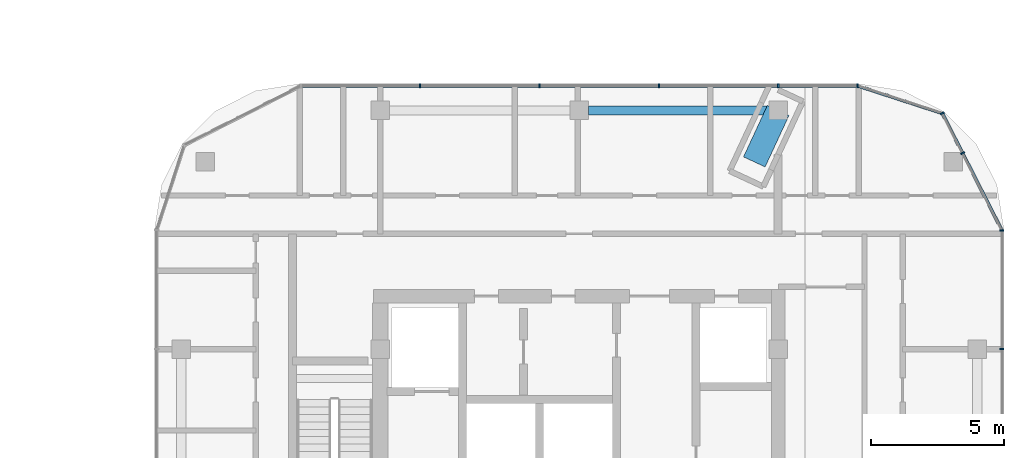
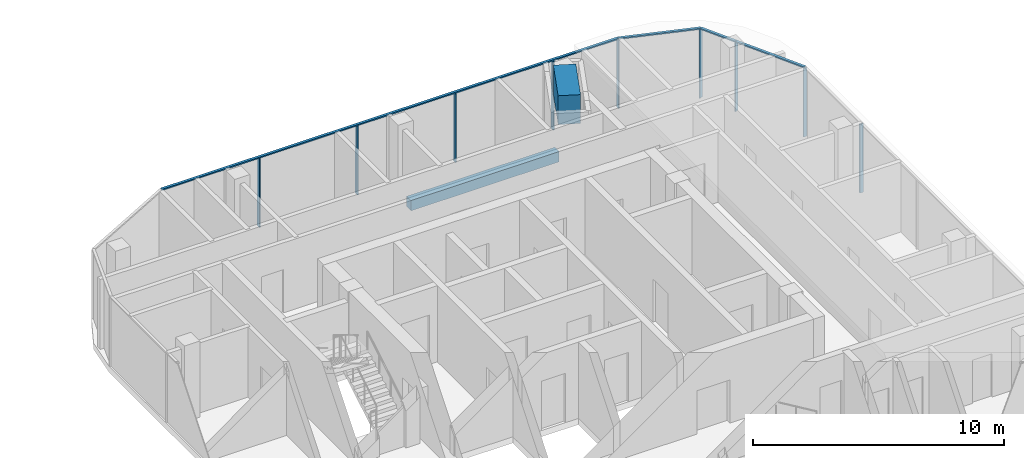
# One storey, part 10 of 35: 13 members, 2 beams, 4 elements without a shape of their own.
"""IFC4 building model written with IfcOpenShell, lengths in metres."""

from ifc_helpers import new_model, si_unit, direction, frame, origin, origin_2d, place, context, subcontext, project, spatial, rectangle, extrude, material, material_profile, profile_set, type_object, element, aggregate, save


model = new_model("IFC4")

# Units and contexts
model_context = context("Model", 3, precision=1e-05, world=origin(), true_north=direction((0.0, 1.0)))
body_context = subcontext(model_context, "Body", "Model", "MODEL_VIEW")
ifc_project = project(units=[si_unit("LENGTHUNIT", "METRE"), si_unit("AREAUNIT", "SQUARE_METRE"), si_unit("VOLUMEUNIT", "CUBIC_METRE"), si_unit("PLANEANGLEUNIT", "RADIAN"), si_unit("MASSUNIT", "GRAM", prefix="KILO")], contexts=[model_context])

# Site, building, storey
site_placement = place(None, origin())
site = spatial("IfcSite", under=ifc_project, at=site_placement, CompositionType="ELEMENT")
building_placement = place(site_placement, origin())
building = spatial("IfcBuilding", under=site, at=building_placement, Name="Ogive Portal Towers", CompositionType="ELEMENT")
storey_placement = place(building_placement, frame((0.0, 0.0, 90.800048828125)))
storey = spatial("IfcBuildingStorey", under=building, at=storey_placement, Name="L21", CompositionType="ELEMENT", Elevation=90.800048828125)

# Curtain wall, members
ifc_material_1 = material(Name="Glass, clear low-iron insulated glazing", Category="glass")
curtain_wall_type = type_object("IfcCurtainWallType", Name="CW RESIDENCES RIBBON", PredefinedType="NOTDEFINED", material=ifc_material_1)
curtain_wall_1_placement = place(storey_placement, origin())
curtain_wall_1 = element("IfcCurtainWall", 1, at=curtain_wall_1_placement, inside=storey, type_object=curtain_wall_type, Name="B:L21:f05:cw0", PredefinedType="NOTDEFINED")
ifc_material_2 = material(Name="Aluminium 6063 anodised", Category="aluminium")
ifc_material_profile_1 = material_profile(ifc_material_2, rectangle(XDim=0.159912109375, YDim=0.06005859375, at=origin_2d()), Name="AL 60x160")
ifc_profile_set_1 = profile_set([ifc_material_profile_1], Name="Aluminium 6063 anodised")
member_type_1 = type_object("IfcMemberType", Name="CW MULLION 60x160", PredefinedType="MULLION", material=ifc_profile_set_1)
member_1_placement = place(storey_placement, frame((152.429931640625, 35.5, 0.0), z_axis=(0.0, 0.0, 1.0), x_axis=(-1.0, 0.0, 0.0)))
member_1 = element("IfcMember", 2, at=member_1_placement, type_object=member_type_1, Name="mullion", PredefinedType="MULLION", context=body_context, shape_type="SweptSolid", body=[
    extrude(rectangle(XDim=0.159912109375, YDim=0.06005859375, at=origin_2d()), origin(), (0.0, 0.0, 1.0), 3.33984375),
])
member_2_placement = place(storey_placement, frame((152.429931640625, 39.980712890625, 0.0), z_axis=(0.0, 0.0, 1.0), x_axis=(-1.0, 0.0, 0.0)))
member_2 = element("IfcMember", 3, at=member_2_placement, type_object=member_type_1, Name="mullion", PredefinedType="MULLION", context=body_context, shape_type="SweptSolid", body=[
    extrude(rectangle(XDim=0.159912109375, YDim=0.06005859375, at=origin_2d()), origin(), (0.0, 0.0, 1.0), 3.33984375),
])
aggregate(curtain_wall_1, [member_1, member_2])

curtain_wall_2_placement = place(storey_placement, origin())
curtain_wall_2 = element("IfcCurtainWall", 4, at=curtain_wall_2_placement, inside=storey, type_object=curtain_wall_type, Name="B:L21:f08:cw0", PredefinedType="NOTDEFINED")
member_3_placement = place(storey_placement, frame((146.9873046875, 45.429931640625, 0.0), z_axis=(0.0, 0.0, 1.0), x_axis=(0.0, -1.0, 0.0)))
member_3 = element("IfcMember", 5, at=member_3_placement, type_object=member_type_1, Name="mullion", PredefinedType="MULLION", context=body_context, shape_type="SweptSolid", body=[
    extrude(rectangle(XDim=0.159912109375, YDim=0.06005859375, at=origin_2d()), origin(), (0.0, 0.0, 1.0), 3.33984375),
])
member_4_placement = place(storey_placement, frame((144.0, 45.429931640625, 0.0), z_axis=(0.0, 0.0, 1.0), x_axis=(0.0, -1.0, 0.0)))
member_4 = element("IfcMember", 6, at=member_4_placement, type_object=member_type_1, Name="mullion", PredefinedType="MULLION", context=body_context, shape_type="SweptSolid", body=[
    extrude(rectangle(XDim=0.159912109375, YDim=0.06005859375, at=origin_2d()), origin(), (0.0, 0.0, 1.0), 3.33984375),
])
member_5_placement = place(storey_placement, frame((139.5, 45.429931640625, 0.0), z_axis=(0.0, 0.0, 1.0), x_axis=(0.0, -1.0, 0.0)))
member_5 = element("IfcMember", 7, at=member_5_placement, type_object=member_type_1, Name="mullion", PredefinedType="MULLION", context=body_context, shape_type="SweptSolid", body=[
    extrude(rectangle(XDim=0.159912109375, YDim=0.06005859375, at=origin_2d()), origin(), (0.0, 0.0, 1.0), 3.33984375),
])
member_6_placement = place(storey_placement, frame((135.0, 45.429931640625, 0.0), z_axis=(0.0, 0.0, 1.0), x_axis=(0.0, -1.0, 0.0)))
member_6 = element("IfcMember", 8, at=member_6_placement, type_object=member_type_1, Name="mullion", PredefinedType="MULLION", context=body_context, shape_type="SweptSolid", body=[
    extrude(rectangle(XDim=0.159912109375, YDim=0.06005859375, at=origin_2d()), origin(), (0.0, 0.0, 1.0), 3.33984375),
])
member_7_placement = place(storey_placement, frame((130.5, 45.429931640625, 0.0), z_axis=(0.0, 0.0, 1.0), x_axis=(0.0, -1.0, 0.0)))
member_7 = element("IfcMember", 9, at=member_7_placement, type_object=member_type_1, Name="mullion", PredefinedType="MULLION", context=body_context, shape_type="SweptSolid", body=[
    extrude(rectangle(XDim=0.159912109375, YDim=0.06005859375, at=origin_2d()), origin(), (0.0, 0.0, 1.0), 3.33984375),
])

# Curtain wall, member
curtain_wall_3_placement = place(storey_placement, origin())
curtain_wall_3 = element("IfcCurtainWall", 10, at=curtain_wall_3_placement, inside=storey, type_object=curtain_wall_type, Name="B:L21:f06:cwa~0", PredefinedType="NOTDEFINED")
member_8_placement = place(storey_placement, frame((150.948974609375, 42.887451171875, 0.0), z_axis=(0.0, 0.0, 1.0), x_axis=(-0.891006524188, -0.45399049974, 0.0)))
member_8 = element("IfcMember", 11, at=member_8_placement, type_object=member_type_1, Name="mullion", PredefinedType="MULLION", context=body_context, shape_type="SweptSolid", body=[
    extrude(rectangle(XDim=0.159912109375, YDim=0.06005859375, at=origin_2d()), origin(), (0.0, 0.0, 1.0), 3.33984375),
])

curtain_wall_4_placement = place(storey_placement, origin())
curtain_wall_4 = element("IfcCurtainWall", 12, at=curtain_wall_4_placement, inside=storey, type_object=curtain_wall_type, Name="B:L21:f06:cwa~1", PredefinedType="NOTDEFINED")
member_9_placement = place(storey_placement, frame((150.182373046875, 44.391845703125, 0.0), z_axis=(0.0, 0.0, 1.0), x_axis=(-0.891006524188, -0.45399049974, 0.0)))
member_9 = element("IfcMember", 13, at=member_9_placement, type_object=member_type_1, Name="mullion", PredefinedType="MULLION", context=body_context, shape_type="SweptSolid", body=[
    extrude(rectangle(XDim=0.159912109375, YDim=0.06005859375, at=origin_2d()), origin(), (0.0, 0.0, 1.0), 3.33984375),
])

# Member
ifc_material_profile_2 = material_profile(ifc_material_2, rectangle(XDim=0.1201171875, YDim=0.06005859375, at=origin_2d()), Name="AL 120x60")
ifc_profile_set_2 = profile_set([ifc_material_profile_2], Name="Aluminium 6063 anodised")
member_type_2 = type_object("IfcMemberType", Name="CW TRANSOM 60x120", PredefinedType="USERDEFINED", material=ifc_profile_set_2)
member_10_placement = place(storey_placement, frame((146.9873046875, 45.429931640625, 3.369873046875), z_axis=(-1.0, 0.0, 0.0), x_axis=(0.0, -1.0, 0.0)))
member_10 = element("IfcMember", 14, at=member_10_placement, type_object=member_type_2, Name="transom", ObjectType="TRANSOM", PredefinedType="USERDEFINED", context=body_context, shape_type="SweptSolid", body=[
    extrude(rectangle(XDim=0.1201171875, YDim=0.06005859375, at=origin_2d()), origin(), (0.0, 0.0, 1.0), 20.968017578125),
])

aggregate(curtain_wall_2, [member_10, member_3, member_4, member_5, member_6, member_7])

member_11_placement = place(storey_placement, frame((152.429931640625, 39.980712890625, 3.369873046875), z_axis=(-0.453966140065, 0.891018935643, 0.0), x_axis=(-0.891018935643, -0.453966140065, 0.0)))
member_11 = element("IfcMember", 15, at=member_11_placement, type_object=member_type_2, Name="transom", ObjectType="TRANSOM", PredefinedType="USERDEFINED", context=body_context, shape_type="SweptSolid", body=[
    extrude(rectangle(XDim=0.1201171875, YDim=0.06005859375, at=origin_2d()), origin(), (0.0, 0.0, 1.0), 3.26220703125),
])

aggregate(curtain_wall_3, [member_11, member_8])

member_12_placement = place(storey_placement, frame((150.9384765625, 42.907958984375, 3.369873046875), z_axis=(-0.45400264024, 0.89100033819, 0.0), x_axis=(-0.89100033819, -0.45400264024, 0.0)))
member_12 = element("IfcMember", 16, at=member_12_placement, type_object=member_type_2, Name="transom", ObjectType="TRANSOM", PredefinedType="USERDEFINED", context=body_context, shape_type="SweptSolid", body=[
    extrude(rectangle(XDim=0.1201171875, YDim=0.06005859375, at=origin_2d()), origin(), (0.0, 0.0, 1.0), 1.66552734375),
])

member_13_placement = place(storey_placement, frame((150.182373046875, 44.391845703125, 3.369873046875), z_axis=(-0.951061301714, 0.309002265981, 0.0), x_axis=(-0.309002265981, -0.951061301714, 0.0)))
member_13 = element("IfcMember", 17, at=member_13_placement, type_object=member_type_2, Name="transom", ObjectType="TRANSOM", PredefinedType="USERDEFINED", context=body_context, shape_type="SweptSolid", body=[
    extrude(rectangle(XDim=0.1201171875, YDim=0.06005859375, at=origin_2d()), origin(), (0.0, 0.0, 1.0), 3.359375),
])

aggregate(curtain_wall_4, [member_12, member_13, member_9])

# Beams
ifc_material_3 = material(Name="Concrete C50/60", Category="concrete")
ifc_material_profile_3 = material_profile(ifc_material_3, rectangle(XDim=0.35009765625, YDim=0.5, at=origin_2d()), Name="RC 350x500")
ifc_profile_set_3 = profile_set([ifc_material_profile_3], Name="Concrete C50/60")
beam_type_1 = type_object("IfcBeamType", Name="SPANDREL BEAM RC 350x500", PredefinedType="BEAM", material=ifc_profile_set_3)
beam_1_placement = place(storey_placement, frame((143.64990234375, 44.5, -0.550048828125), z_axis=(-1.0, 0.0, 0.0), x_axis=(0.0, -1.0, 0.0)))
element("IfcBeam", 18, at=beam_1_placement, inside=storey, type_object=beam_type_1, Name="Spandrel beam L21", PredefinedType="BEAM", context=body_context, shape_type="SweptSolid", body=[
    extrude(rectangle(XDim=0.35009765625, YDim=0.5, at=origin_2d()), origin(), (0.0, 0.0, 1.0), 6.7998046875),
])
ifc_material_profile_4 = material_profile(ifc_material_3, rectangle(XDim=0.89990234375, YDim=1.39990234375, at=origin_2d()), Name="RC 900x1400")
ifc_profile_set_4 = profile_set([ifc_material_profile_4], Name="Concrete C50/60")
beam_type_2 = type_object("IfcBeamType", Name="TRANSFER BEAM RC 900x1400", PredefinedType="BEAM", material=ifc_profile_set_4)
beam_2_placement = place(storey_placement, frame((144.0, 44.5, 3.0), z_axis=(-0.420836519205, -0.907136496953, 0.0), x_axis=(0.907136496953, -0.420836519205, 0.0)))
element("IfcBeam", 19, at=beam_2_placement, inside=storey, type_object=beam_type_2, Name="Transfer beam L22", PredefinedType="BEAM", context=body_context, shape_type="SweptSolid", body=[
    extrude(rectangle(XDim=0.89990234375, YDim=1.39990234375, at=origin_2d()), origin(), (0.0, 0.0, 1.0), 2.140625),
])

save(model, "model.ifc")
